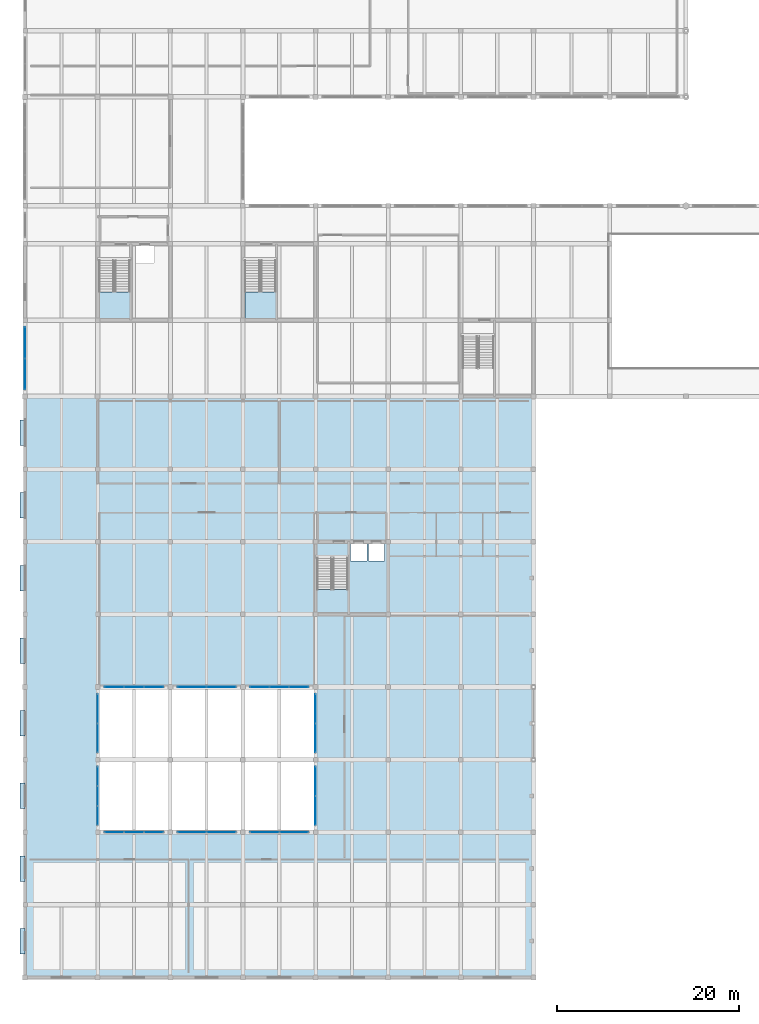
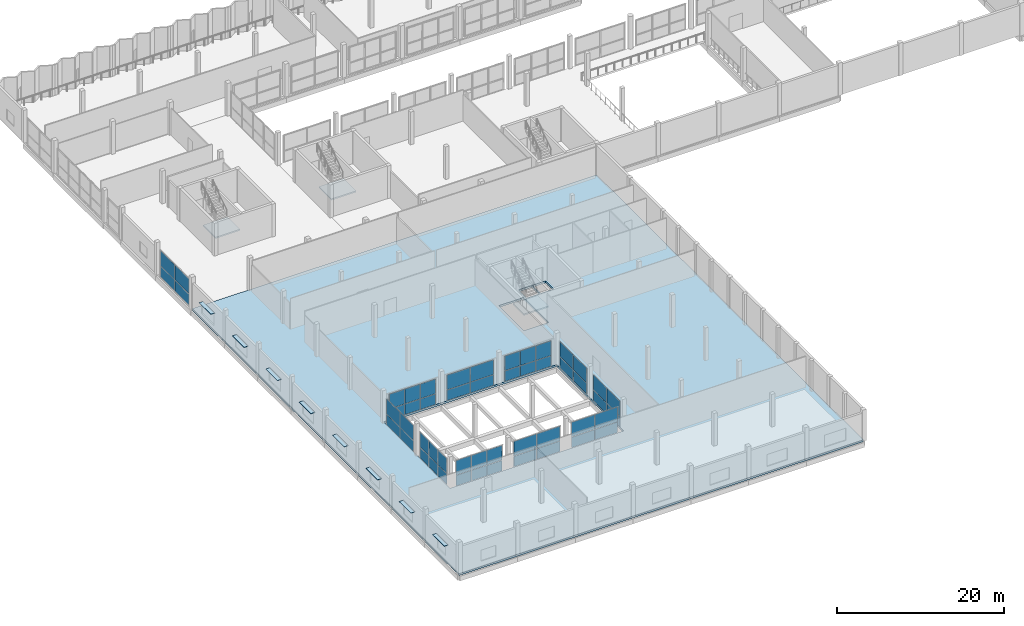
# One storey, part 26 of 47: 60 plates, 4 slabs, 14 elements without a shape of their own.
"""IFC4 building model written with IfcOpenShell, lengths in metres."""

from ifc_helpers import new_model, si_unit, direction, frame, origin, origin_2d, place, context, subcontext, project, spatial, polyline, rectangle, outline, extrude, material, layer, layer_set, type_object, element, aggregate, save


model = new_model("IFC4")

# Units and contexts
model_context = context("Model", 3, precision=1e-05, world=origin(), true_north=direction((0.0, 1.0)))
body_context = subcontext(model_context, "Body", "Model", "MODEL_VIEW")
ifc_project = project(units=[si_unit("LENGTHUNIT", "METRE"), si_unit("AREAUNIT", "SQUARE_METRE"), si_unit("VOLUMEUNIT", "CUBIC_METRE"), si_unit("PLANEANGLEUNIT", "RADIAN"), si_unit("MASSUNIT", "GRAM", prefix="KILO")], contexts=[model_context])

# Site, building, storey
site_placement = place(None, origin())
site = spatial("IfcSite", under=ifc_project, at=site_placement, CompositionType="ELEMENT")
building_placement = place(site_placement, origin())
building = spatial("IfcBuilding", under=site, at=building_placement, Name="Vharandega Faculty of Natural Sciences", CompositionType="ELEMENT")
storey_placement = place(building_placement, frame((0.0, 0.0, 5.39990234375)))
storey = spatial("IfcBuildingStorey", under=building, at=storey_placement, Name="L01", CompositionType="ELEMENT", Elevation=5.39990234375)

# Curtain wall, plates
ifc_material_1 = material(Name="Aluminium and solar-control glass curtain wall", Category="aluminium")
curtain_wall_type_1 = type_object("IfcCurtainWallType", Name="Unitised Curtain Wall System CW-14", PredefinedType="NOTDEFINED", material=ifc_material_1)
curtain_wall_1_placement = place(storey_placement, origin())
curtain_wall_1 = element("IfcCurtainWall", 1, at=curtain_wall_1_placement, inside=storey, type_object=curtain_wall_type_1, Name="Curtain Wall CW-L01-041", PredefinedType="NOTDEFINED")
ifc_material_2 = material(Name="Double-glazed low-E solar glass", Category="glass")
ifc_layer_1 = layer(ifc_material_2, 0.028076171875, Name="Double-glazed low-E solar glass")
ifc_layer_set_1 = layer_set([ifc_layer_1], Name="Double-glazed low-E solar glass")
plate_type_1 = type_object("IfcPlateType", Name="CW Solar Vision Panel 28mm", PredefinedType="CURTAIN_PANEL", material=ifc_layer_set_1)
plate_1_placement = place(storey_placement, frame((0.0, 66.485107421875, 0.06005859375), z_axis=(0.0, 0.0, 1.0), x_axis=(0.0, 1.0, 0.0)))
plate_1 = element("IfcPlate", 2, at=plate_1_placement, type_object=plate_type_1, Name="CW-14 panel 1.1", PredefinedType="CURTAIN_PANEL", context=body_context, shape_type="SweptSolid", body=[
    extrude(rectangle(XDim=3.3701171875, YDim=0.028076171875, at=origin_2d()), origin(), (0.0, 0.0, 1.0), 1.564697265625),
])
plate_2_placement = place(storey_placement, frame((0.0, 66.485107421875, 1.684814453125), z_axis=(0.0, 0.0, 1.0), x_axis=(0.0, 1.0, 0.0)))
plate_2 = element("IfcPlate", 3, at=plate_2_placement, type_object=plate_type_1, Name="CW-14 panel 1.2", PredefinedType="CURTAIN_PANEL", context=body_context, shape_type="SweptSolid", body=[
    extrude(rectangle(XDim=3.3701171875, YDim=0.028076171875, at=origin_2d()), origin(), (0.0, 0.0, 1.0), 2.1953125),
])
plate_3_placement = place(storey_placement, frame((0.0, 69.9150390625, 0.06005859375), z_axis=(0.0, 0.0, 1.0), x_axis=(0.0, 1.0, 0.0)))
plate_3 = element("IfcPlate", 4, at=plate_3_placement, type_object=plate_type_1, Name="CW-14 panel 2.1", PredefinedType="CURTAIN_PANEL", context=body_context, shape_type="SweptSolid", body=[
    extrude(rectangle(XDim=3.3701171875, YDim=0.028076171875, at=origin_2d()), origin(), (0.0, 0.0, 1.0), 1.564697265625),
])
plate_4_placement = place(storey_placement, frame((0.0, 69.9150390625, 1.684814453125), z_axis=(0.0, 0.0, 1.0), x_axis=(0.0, 1.0, 0.0)))
plate_4 = element("IfcPlate", 5, at=plate_4_placement, type_object=plate_type_1, Name="CW-14 panel 2.2", PredefinedType="CURTAIN_PANEL", context=body_context, shape_type="SweptSolid", body=[
    extrude(rectangle(XDim=3.3701171875, YDim=0.028076171875, at=origin_2d()), origin(), (0.0, 0.0, 1.0), 2.1953125),
])
aggregate(curtain_wall_1, [plate_1, plate_2, plate_3, plate_4])

ifc_material_3 = material(Name="Aluminium and solar-control glass curtain wall", Category="aluminium")
curtain_wall_type_2 = type_object("IfcCurtainWallType", Name="Unitised Curtain Wall System CW-10", PredefinedType="NOTDEFINED", material=ifc_material_3)
curtain_wall_2_placement = place(storey_placement, origin())
curtain_wall_2 = element("IfcCurtainWall", 6, at=curtain_wall_2_placement, inside=storey, type_object=curtain_wall_type_2, Name="Curtain Wall CW-L01-121", PredefinedType="NOTDEFINED")
plate_5_placement = place(storey_placement, frame((9.841552734375, 16.0, 0.06005859375), z_axis=(0.0, 0.0, 1.0), x_axis=(1.0, 0.0, 0.0)))
plate_5 = element("IfcPlate", 7, at=plate_5_placement, type_object=plate_type_1, Name="CW-10 panel 1.1", PredefinedType="CURTAIN_PANEL", context=body_context, shape_type="SweptSolid", body=[
    extrude(rectangle(XDim=2.083251953125, YDim=0.028076171875, at=origin_2d()), origin(), (0.0, 0.0, 1.0), 1.522705078125),
])
plate_6_placement = place(storey_placement, frame((9.841552734375, 16.0, 1.642822265625), z_axis=(0.0, 0.0, 1.0), x_axis=(1.0, 0.0, 0.0)))
plate_6 = element("IfcPlate", 8, at=plate_6_placement, type_object=plate_type_1, Name="CW-10 panel 1.2", PredefinedType="CURTAIN_PANEL", context=body_context, shape_type="SweptSolid", body=[
    extrude(rectangle(XDim=2.083251953125, YDim=0.028076171875, at=origin_2d()), origin(), (0.0, 0.0, 1.0), 2.13720703125),
])
plate_7_placement = place(storey_placement, frame((12.0, 16.0, 0.06005859375), z_axis=(0.0, 0.0, 1.0), x_axis=(1.0, 0.0, 0.0)))
plate_7 = element("IfcPlate", 9, at=plate_7_placement, type_object=plate_type_1, Name="CW-10 panel 2.1", PredefinedType="CURTAIN_PANEL", context=body_context, shape_type="SweptSolid", body=[
    extrude(rectangle(XDim=2.11328125, YDim=0.028076171875, at=origin_2d()), origin(), (0.0, 0.0, 1.0), 1.522705078125),
])
plate_8_placement = place(storey_placement, frame((12.0, 16.0, 1.642822265625), z_axis=(0.0, 0.0, 1.0), x_axis=(1.0, 0.0, 0.0)))
plate_8 = element("IfcPlate", 10, at=plate_8_placement, type_object=plate_type_1, Name="CW-10 panel 2.2", PredefinedType="CURTAIN_PANEL", context=body_context, shape_type="SweptSolid", body=[
    extrude(rectangle(XDim=2.11328125, YDim=0.028076171875, at=origin_2d()), origin(), (0.0, 0.0, 1.0), 2.13720703125),
])
plate_9_placement = place(storey_placement, frame((14.158447265625, 16.0, 0.06005859375), z_axis=(0.0, 0.0, 1.0), x_axis=(1.0, 0.0, 0.0)))
plate_9 = element("IfcPlate", 11, at=plate_9_placement, type_object=plate_type_1, Name="CW-10 panel 3.1", PredefinedType="CURTAIN_PANEL", context=body_context, shape_type="SweptSolid", body=[
    extrude(rectangle(XDim=2.083251953125, YDim=0.028076171875, at=origin_2d()), origin(), (0.0, 0.0, 1.0), 1.522705078125),
])
plate_10_placement = place(storey_placement, frame((14.158447265625, 16.0, 1.642822265625), z_axis=(0.0, 0.0, 1.0), x_axis=(1.0, 0.0, 0.0)))
plate_10 = element("IfcPlate", 12, at=plate_10_placement, type_object=plate_type_1, Name="CW-10 panel 3.2", PredefinedType="CURTAIN_PANEL", context=body_context, shape_type="SweptSolid", body=[
    extrude(rectangle(XDim=2.083251953125, YDim=0.028076171875, at=origin_2d()), origin(), (0.0, 0.0, 1.0), 2.13720703125),
])
aggregate(curtain_wall_2, [plate_5, plate_6, plate_7, plate_8, plate_9, plate_10])

ifc_material_4 = material(Name="Aluminium and solar-control glass curtain wall", Category="aluminium")
curtain_wall_type_3 = type_object("IfcCurtainWallType", Name="Unitised Curtain Wall System CW-11", PredefinedType="NOTDEFINED", material=ifc_material_4)
curtain_wall_3_placement = place(storey_placement, origin())
curtain_wall_3 = element("IfcCurtainWall", 13, at=curtain_wall_3_placement, inside=storey, type_object=curtain_wall_type_3, Name="Curtain Wall CW-L01-122", PredefinedType="NOTDEFINED")
plate_11_placement = place(storey_placement, frame((9.841552734375, 32.0, 0.06005859375), z_axis=(0.0, 0.0, 1.0), x_axis=(1.0, 0.0, 0.0)))
plate_11 = element("IfcPlate", 14, at=plate_11_placement, type_object=plate_type_1, Name="CW-11 panel 1.1", PredefinedType="CURTAIN_PANEL", context=body_context, shape_type="SweptSolid", body=[
    extrude(rectangle(XDim=2.083251953125, YDim=0.028076171875, at=origin_2d()), origin(), (0.0, 0.0, 1.0), 1.522705078125),
])
plate_12_placement = place(storey_placement, frame((9.841552734375, 32.0, 1.642822265625), z_axis=(0.0, 0.0, 1.0), x_axis=(1.0, 0.0, 0.0)))
plate_12 = element("IfcPlate", 15, at=plate_12_placement, type_object=plate_type_1, Name="CW-11 panel 1.2", PredefinedType="CURTAIN_PANEL", context=body_context, shape_type="SweptSolid", body=[
    extrude(rectangle(XDim=2.083251953125, YDim=0.028076171875, at=origin_2d()), origin(), (0.0, 0.0, 1.0), 2.13720703125),
])
plate_13_placement = place(storey_placement, frame((12.0, 32.0, 0.06005859375), z_axis=(0.0, 0.0, 1.0), x_axis=(1.0, 0.0, 0.0)))
plate_13 = element("IfcPlate", 16, at=plate_13_placement, type_object=plate_type_1, Name="CW-11 panel 2.1", PredefinedType="CURTAIN_PANEL", context=body_context, shape_type="SweptSolid", body=[
    extrude(rectangle(XDim=2.11328125, YDim=0.028076171875, at=origin_2d()), origin(), (0.0, 0.0, 1.0), 1.522705078125),
])
plate_14_placement = place(storey_placement, frame((12.0, 32.0, 1.642822265625), z_axis=(0.0, 0.0, 1.0), x_axis=(1.0, 0.0, 0.0)))
plate_14 = element("IfcPlate", 17, at=plate_14_placement, type_object=plate_type_1, Name="CW-11 panel 2.2", PredefinedType="CURTAIN_PANEL", context=body_context, shape_type="SweptSolid", body=[
    extrude(rectangle(XDim=2.11328125, YDim=0.028076171875, at=origin_2d()), origin(), (0.0, 0.0, 1.0), 2.13720703125),
])
plate_15_placement = place(storey_placement, frame((14.158447265625, 32.0, 0.06005859375), z_axis=(0.0, 0.0, 1.0), x_axis=(1.0, 0.0, 0.0)))
plate_15 = element("IfcPlate", 18, at=plate_15_placement, type_object=plate_type_1, Name="CW-11 panel 3.1", PredefinedType="CURTAIN_PANEL", context=body_context, shape_type="SweptSolid", body=[
    extrude(rectangle(XDim=2.083251953125, YDim=0.028076171875, at=origin_2d()), origin(), (0.0, 0.0, 1.0), 1.522705078125),
])
plate_16_placement = place(storey_placement, frame((14.158447265625, 32.0, 1.642822265625), z_axis=(0.0, 0.0, 1.0), x_axis=(1.0, 0.0, 0.0)))
plate_16 = element("IfcPlate", 19, at=plate_16_placement, type_object=plate_type_1, Name="CW-11 panel 3.2", PredefinedType="CURTAIN_PANEL", context=body_context, shape_type="SweptSolid", body=[
    extrude(rectangle(XDim=2.083251953125, YDim=0.028076171875, at=origin_2d()), origin(), (0.0, 0.0, 1.0), 2.13720703125),
])
aggregate(curtain_wall_3, [plate_11, plate_12, plate_13, plate_14, plate_15, plate_16])

ifc_material_5 = material(Name="Aluminium and solar-control glass curtain wall", Category="aluminium")
curtain_wall_type_4 = type_object("IfcCurtainWallType", Name="Unitised Curtain Wall System CW-12", PredefinedType="NOTDEFINED", material=ifc_material_5)
curtain_wall_4_placement = place(storey_placement, origin())
curtain_wall_4 = element("IfcCurtainWall", 20, at=curtain_wall_4_placement, inside=storey, type_object=curtain_wall_type_4, Name="Curtain Wall CW-L01-123", PredefinedType="NOTDEFINED")
plate_17_placement = place(storey_placement, frame((18.385009765625, 16.0, 0.06005859375), z_axis=(0.0, 0.0, 1.0), x_axis=(1.0, 0.0, 0.0)))
plate_17 = element("IfcPlate", 21, at=plate_17_placement, type_object=plate_type_1, Name="CW-12 panel 1.1", PredefinedType="CURTAIN_PANEL", context=body_context, shape_type="SweptSolid", body=[
    extrude(rectangle(XDim=3.169921875, YDim=0.028076171875, at=origin_2d()), origin(), (0.0, 0.0, 1.0), 1.522705078125),
])
plate_18_placement = place(storey_placement, frame((18.385009765625, 16.0, 1.642822265625), z_axis=(0.0, 0.0, 1.0), x_axis=(1.0, 0.0, 0.0)))
plate_18 = element("IfcPlate", 22, at=plate_18_placement, type_object=plate_type_1, Name="CW-12 panel 1.2", PredefinedType="CURTAIN_PANEL", context=body_context, shape_type="SweptSolid", body=[
    extrude(rectangle(XDim=3.169921875, YDim=0.028076171875, at=origin_2d()), origin(), (0.0, 0.0, 1.0), 2.13720703125),
])
plate_19_placement = place(storey_placement, frame((21.614990234375, 16.0, 0.06005859375), z_axis=(0.0, 0.0, 1.0), x_axis=(1.0, 0.0, 0.0)))
plate_19 = element("IfcPlate", 23, at=plate_19_placement, type_object=plate_type_1, Name="CW-12 panel 2.1", PredefinedType="CURTAIN_PANEL", context=body_context, shape_type="SweptSolid", body=[
    extrude(rectangle(XDim=3.169921875, YDim=0.028076171875, at=origin_2d()), origin(), (0.0, 0.0, 1.0), 1.522705078125),
])
plate_20_placement = place(storey_placement, frame((21.614990234375, 16.0, 1.642822265625), z_axis=(0.0, 0.0, 1.0), x_axis=(1.0, 0.0, 0.0)))
plate_20 = element("IfcPlate", 24, at=plate_20_placement, type_object=plate_type_1, Name="CW-12 panel 2.2", PredefinedType="CURTAIN_PANEL", context=body_context, shape_type="SweptSolid", body=[
    extrude(rectangle(XDim=3.169921875, YDim=0.028076171875, at=origin_2d()), origin(), (0.0, 0.0, 1.0), 2.13720703125),
])
aggregate(curtain_wall_4, [plate_17, plate_18, plate_19, plate_20])

ifc_material_6 = material(Name="Aluminium and solar-control glass curtain wall", Category="aluminium")
curtain_wall_type_5 = type_object("IfcCurtainWallType", Name="Unitised Curtain Wall System CW-13", PredefinedType="NOTDEFINED", material=ifc_material_6)
curtain_wall_5_placement = place(storey_placement, origin())
curtain_wall_5 = element("IfcCurtainWall", 25, at=curtain_wall_5_placement, inside=storey, type_object=curtain_wall_type_5, Name="Curtain Wall CW-L01-124", PredefinedType="NOTDEFINED")
plate_21_placement = place(storey_placement, frame((18.385009765625, 32.0, 0.06005859375), z_axis=(0.0, 0.0, 1.0), x_axis=(1.0, 0.0, 0.0)))
plate_21 = element("IfcPlate", 26, at=plate_21_placement, type_object=plate_type_1, Name="CW-13 panel 1.1", PredefinedType="CURTAIN_PANEL", context=body_context, shape_type="SweptSolid", body=[
    extrude(rectangle(XDim=3.169921875, YDim=0.028076171875, at=origin_2d()), origin(), (0.0, 0.0, 1.0), 1.522705078125),
])
plate_22_placement = place(storey_placement, frame((18.385009765625, 32.0, 1.642822265625), z_axis=(0.0, 0.0, 1.0), x_axis=(1.0, 0.0, 0.0)))
plate_22 = element("IfcPlate", 27, at=plate_22_placement, type_object=plate_type_1, Name="CW-13 panel 1.2", PredefinedType="CURTAIN_PANEL", context=body_context, shape_type="SweptSolid", body=[
    extrude(rectangle(XDim=3.169921875, YDim=0.028076171875, at=origin_2d()), origin(), (0.0, 0.0, 1.0), 2.13720703125),
])
plate_23_placement = place(storey_placement, frame((21.614990234375, 32.0, 0.06005859375), z_axis=(0.0, 0.0, 1.0), x_axis=(1.0, 0.0, 0.0)))
plate_23 = element("IfcPlate", 28, at=plate_23_placement, type_object=plate_type_1, Name="CW-13 panel 2.1", PredefinedType="CURTAIN_PANEL", context=body_context, shape_type="SweptSolid", body=[
    extrude(rectangle(XDim=3.169921875, YDim=0.028076171875, at=origin_2d()), origin(), (0.0, 0.0, 1.0), 1.522705078125),
])
plate_24_placement = place(storey_placement, frame((21.614990234375, 32.0, 1.642822265625), z_axis=(0.0, 0.0, 1.0), x_axis=(1.0, 0.0, 0.0)))
plate_24 = element("IfcPlate", 29, at=plate_24_placement, type_object=plate_type_1, Name="CW-13 panel 2.2", PredefinedType="CURTAIN_PANEL", context=body_context, shape_type="SweptSolid", body=[
    extrude(rectangle(XDim=3.169921875, YDim=0.028076171875, at=origin_2d()), origin(), (0.0, 0.0, 1.0), 2.13720703125),
])
aggregate(curtain_wall_5, [plate_21, plate_22, plate_23, plate_24])

curtain_wall_6_placement = place(storey_placement, origin())
curtain_wall_6 = element("IfcCurtainWall", 30, at=curtain_wall_6_placement, inside=storey, type_object=curtain_wall_type_1, Name="Curtain Wall CW-L01-125", PredefinedType="NOTDEFINED")
plate_25_placement = place(storey_placement, frame((26.385009765625, 16.0, 0.06005859375), z_axis=(0.0, 0.0, 1.0), x_axis=(1.0, 0.0, 0.0)))
plate_25 = element("IfcPlate", 31, at=plate_25_placement, type_object=plate_type_1, Name="CW-14 panel 1.1", PredefinedType="CURTAIN_PANEL", context=body_context, shape_type="SweptSolid", body=[
    extrude(rectangle(XDim=3.169921875, YDim=0.028076171875, at=origin_2d()), origin(), (0.0, 0.0, 1.0), 1.522705078125),
])
plate_26_placement = place(storey_placement, frame((26.385009765625, 16.0, 1.642822265625), z_axis=(0.0, 0.0, 1.0), x_axis=(1.0, 0.0, 0.0)))
plate_26 = element("IfcPlate", 32, at=plate_26_placement, type_object=plate_type_1, Name="CW-14 panel 1.2", PredefinedType="CURTAIN_PANEL", context=body_context, shape_type="SweptSolid", body=[
    extrude(rectangle(XDim=3.169921875, YDim=0.028076171875, at=origin_2d()), origin(), (0.0, 0.0, 1.0), 2.13720703125),
])
plate_27_placement = place(storey_placement, frame((29.614990234375, 16.0, 0.06005859375), z_axis=(0.0, 0.0, 1.0), x_axis=(1.0, 0.0, 0.0)))
plate_27 = element("IfcPlate", 33, at=plate_27_placement, type_object=plate_type_1, Name="CW-14 panel 2.1", PredefinedType="CURTAIN_PANEL", context=body_context, shape_type="SweptSolid", body=[
    extrude(rectangle(XDim=3.169921875, YDim=0.028076171875, at=origin_2d()), origin(), (0.0, 0.0, 1.0), 1.522705078125),
])
plate_28_placement = place(storey_placement, frame((29.614990234375, 16.0, 1.642822265625), z_axis=(0.0, 0.0, 1.0), x_axis=(1.0, 0.0, 0.0)))
plate_28 = element("IfcPlate", 34, at=plate_28_placement, type_object=plate_type_1, Name="CW-14 panel 2.2", PredefinedType="CURTAIN_PANEL", context=body_context, shape_type="SweptSolid", body=[
    extrude(rectangle(XDim=3.169921875, YDim=0.028076171875, at=origin_2d()), origin(), (0.0, 0.0, 1.0), 2.13720703125),
])
aggregate(curtain_wall_6, [plate_25, plate_26, plate_27, plate_28])

ifc_material_7 = material(Name="Aluminium and solar-control glass curtain wall", Category="aluminium")
curtain_wall_type_6 = type_object("IfcCurtainWallType", Name="Unitised Curtain Wall System CW-15", PredefinedType="NOTDEFINED", material=ifc_material_7)
curtain_wall_7_placement = place(storey_placement, origin())
curtain_wall_7 = element("IfcCurtainWall", 35, at=curtain_wall_7_placement, inside=storey, type_object=curtain_wall_type_6, Name="Curtain Wall CW-L01-126", PredefinedType="NOTDEFINED")
plate_29_placement = place(storey_placement, frame((25.841552734375, 32.0, 0.06005859375), z_axis=(0.0, 0.0, 1.0), x_axis=(1.0, 0.0, 0.0)))
plate_29 = element("IfcPlate", 36, at=plate_29_placement, type_object=plate_type_1, Name="CW-15 panel 1.1", PredefinedType="CURTAIN_PANEL", context=body_context, shape_type="SweptSolid", body=[
    extrude(rectangle(XDim=2.083251953125, YDim=0.028076171875, at=origin_2d()), origin(), (0.0, 0.0, 1.0), 1.522705078125),
])
plate_30_placement = place(storey_placement, frame((25.841552734375, 32.0, 1.642822265625), z_axis=(0.0, 0.0, 1.0), x_axis=(1.0, 0.0, 0.0)))
plate_30 = element("IfcPlate", 37, at=plate_30_placement, type_object=plate_type_1, Name="CW-15 panel 1.2", PredefinedType="CURTAIN_PANEL", context=body_context, shape_type="SweptSolid", body=[
    extrude(rectangle(XDim=2.083251953125, YDim=0.028076171875, at=origin_2d()), origin(), (0.0, 0.0, 1.0), 2.13720703125),
])
plate_31_placement = place(storey_placement, frame((28.0, 32.0, 0.06005859375), z_axis=(0.0, 0.0, 1.0), x_axis=(1.0, 0.0, 0.0)))
plate_31 = element("IfcPlate", 38, at=plate_31_placement, type_object=plate_type_1, Name="CW-15 panel 2.1", PredefinedType="CURTAIN_PANEL", context=body_context, shape_type="SweptSolid", body=[
    extrude(rectangle(XDim=2.11328125, YDim=0.028076171875, at=origin_2d()), origin(), (0.0, 0.0, 1.0), 1.522705078125),
])
plate_32_placement = place(storey_placement, frame((28.0, 32.0, 1.642822265625), z_axis=(0.0, 0.0, 1.0), x_axis=(1.0, 0.0, 0.0)))
plate_32 = element("IfcPlate", 39, at=plate_32_placement, type_object=plate_type_1, Name="CW-15 panel 2.2", PredefinedType="CURTAIN_PANEL", context=body_context, shape_type="SweptSolid", body=[
    extrude(rectangle(XDim=2.11328125, YDim=0.028076171875, at=origin_2d()), origin(), (0.0, 0.0, 1.0), 2.13720703125),
])
plate_33_placement = place(storey_placement, frame((30.158447265625, 32.0, 0.06005859375), z_axis=(0.0, 0.0, 1.0), x_axis=(1.0, 0.0, 0.0)))
plate_33 = element("IfcPlate", 40, at=plate_33_placement, type_object=plate_type_1, Name="CW-15 panel 3.1", PredefinedType="CURTAIN_PANEL", context=body_context, shape_type="SweptSolid", body=[
    extrude(rectangle(XDim=2.083251953125, YDim=0.028076171875, at=origin_2d()), origin(), (0.0, 0.0, 1.0), 1.522705078125),
])
plate_34_placement = place(storey_placement, frame((30.158447265625, 32.0, 1.642822265625), z_axis=(0.0, 0.0, 1.0), x_axis=(1.0, 0.0, 0.0)))
plate_34 = element("IfcPlate", 41, at=plate_34_placement, type_object=plate_type_1, Name="CW-15 panel 3.2", PredefinedType="CURTAIN_PANEL", context=body_context, shape_type="SweptSolid", body=[
    extrude(rectangle(XDim=2.083251953125, YDim=0.028076171875, at=origin_2d()), origin(), (0.0, 0.0, 1.0), 2.13720703125),
])
aggregate(curtain_wall_7, [plate_29, plate_30, plate_31, plate_32, plate_33, plate_34])

ifc_material_8 = material(Name="Aluminium and solar-control glass curtain wall", Category="aluminium")
curtain_wall_type_7 = type_object("IfcCurtainWallType", Name="Unitised Curtain Wall System CW-16", PredefinedType="NOTDEFINED", material=ifc_material_8)
curtain_wall_8_placement = place(storey_placement, origin())
curtain_wall_8 = element("IfcCurtainWall", 42, at=curtain_wall_8_placement, inside=storey, type_object=curtain_wall_type_7, Name="Curtain Wall CW-L01-127", PredefinedType="NOTDEFINED")
plate_35_placement = place(storey_placement, frame((8.0, 17.841552734375, 0.06005859375), z_axis=(0.0, 0.0, 1.0), x_axis=(0.0, 1.0, 0.0)))
plate_35 = element("IfcPlate", 43, at=plate_35_placement, type_object=plate_type_1, Name="CW-16 panel 1.1", PredefinedType="CURTAIN_PANEL", context=body_context, shape_type="SweptSolid", body=[
    extrude(rectangle(XDim=2.083251953125, YDim=0.028076171875, at=origin_2d()), origin(), (0.0, 0.0, 1.0), 1.556396484375),
])
plate_36_placement = place(storey_placement, frame((8.0, 17.841552734375, 1.676513671875), z_axis=(0.0, 0.0, 1.0), x_axis=(0.0, 1.0, 0.0)))
plate_36 = element("IfcPlate", 44, at=plate_36_placement, type_object=plate_type_1, Name="CW-16 panel 1.2", PredefinedType="CURTAIN_PANEL", context=body_context, shape_type="SweptSolid", body=[
    extrude(rectangle(XDim=2.083251953125, YDim=0.028076171875, at=origin_2d()), origin(), (0.0, 0.0, 1.0), 2.18359375),
])
plate_37_placement = place(storey_placement, frame((8.0, 20.0, 0.06005859375), z_axis=(0.0, 0.0, 1.0), x_axis=(0.0, 1.0, 0.0)))
plate_37 = element("IfcPlate", 45, at=plate_37_placement, type_object=plate_type_1, Name="CW-16 panel 2.1", PredefinedType="CURTAIN_PANEL", context=body_context, shape_type="SweptSolid", body=[
    extrude(rectangle(XDim=2.11328125, YDim=0.028076171875, at=origin_2d()), origin(), (0.0, 0.0, 1.0), 1.556396484375),
])
plate_38_placement = place(storey_placement, frame((8.0, 20.0, 1.676513671875), z_axis=(0.0, 0.0, 1.0), x_axis=(0.0, 1.0, 0.0)))
plate_38 = element("IfcPlate", 46, at=plate_38_placement, type_object=plate_type_1, Name="CW-16 panel 2.2", PredefinedType="CURTAIN_PANEL", context=body_context, shape_type="SweptSolid", body=[
    extrude(rectangle(XDim=2.11328125, YDim=0.028076171875, at=origin_2d()), origin(), (0.0, 0.0, 1.0), 2.18359375),
])
plate_39_placement = place(storey_placement, frame((8.0, 22.158447265625, 0.06005859375), z_axis=(0.0, 0.0, 1.0), x_axis=(0.0, 1.0, 0.0)))
plate_39 = element("IfcPlate", 47, at=plate_39_placement, type_object=plate_type_1, Name="CW-16 panel 3.1", PredefinedType="CURTAIN_PANEL", context=body_context, shape_type="SweptSolid", body=[
    extrude(rectangle(XDim=2.083251953125, YDim=0.028076171875, at=origin_2d()), origin(), (0.0, 0.0, 1.0), 1.556396484375),
])
plate_40_placement = place(storey_placement, frame((8.0, 22.158447265625, 1.676513671875), z_axis=(0.0, 0.0, 1.0), x_axis=(0.0, 1.0, 0.0)))
plate_40 = element("IfcPlate", 48, at=plate_40_placement, type_object=plate_type_1, Name="CW-16 panel 3.2", PredefinedType="CURTAIN_PANEL", context=body_context, shape_type="SweptSolid", body=[
    extrude(rectangle(XDim=2.083251953125, YDim=0.028076171875, at=origin_2d()), origin(), (0.0, 0.0, 1.0), 2.18359375),
])
aggregate(curtain_wall_8, [plate_35, plate_36, plate_37, plate_38, plate_39, plate_40])

ifc_material_9 = material(Name="Aluminium and solar-control glass curtain wall", Category="aluminium")
curtain_wall_type_8 = type_object("IfcCurtainWallType", Name="Unitised Curtain Wall System CW-17", PredefinedType="NOTDEFINED", material=ifc_material_9)
curtain_wall_9_placement = place(storey_placement, origin())
curtain_wall_9 = element("IfcCurtainWall", 49, at=curtain_wall_9_placement, inside=storey, type_object=curtain_wall_type_8, Name="Curtain Wall CW-L01-128", PredefinedType="NOTDEFINED")
plate_41_placement = place(storey_placement, frame((32.0, 18.385009765625, 0.06005859375), z_axis=(0.0, 0.0, 1.0), x_axis=(0.0, 1.0, 0.0)))
plate_41 = element("IfcPlate", 50, at=plate_41_placement, type_object=plate_type_1, Name="CW-17 panel 1.1", PredefinedType="CURTAIN_PANEL", context=body_context, shape_type="SweptSolid", body=[
    extrude(rectangle(XDim=3.169921875, YDim=0.028076171875, at=origin_2d()), origin(), (0.0, 0.0, 1.0), 1.556396484375),
])
plate_42_placement = place(storey_placement, frame((32.0, 18.385009765625, 1.676513671875), z_axis=(0.0, 0.0, 1.0), x_axis=(0.0, 1.0, 0.0)))
plate_42 = element("IfcPlate", 51, at=plate_42_placement, type_object=plate_type_1, Name="CW-17 panel 1.2", PredefinedType="CURTAIN_PANEL", context=body_context, shape_type="SweptSolid", body=[
    extrude(rectangle(XDim=3.169921875, YDim=0.028076171875, at=origin_2d()), origin(), (0.0, 0.0, 1.0), 2.18359375),
])
plate_43_placement = place(storey_placement, frame((32.0, 21.614990234375, 0.06005859375), z_axis=(0.0, 0.0, 1.0), x_axis=(0.0, 1.0, 0.0)))
plate_43 = element("IfcPlate", 52, at=plate_43_placement, type_object=plate_type_1, Name="CW-17 panel 2.1", PredefinedType="CURTAIN_PANEL", context=body_context, shape_type="SweptSolid", body=[
    extrude(rectangle(XDim=3.169921875, YDim=0.028076171875, at=origin_2d()), origin(), (0.0, 0.0, 1.0), 1.556396484375),
])
plate_44_placement = place(storey_placement, frame((32.0, 21.614990234375, 1.676513671875), z_axis=(0.0, 0.0, 1.0), x_axis=(0.0, 1.0, 0.0)))
plate_44 = element("IfcPlate", 53, at=plate_44_placement, type_object=plate_type_1, Name="CW-17 panel 2.2", PredefinedType="CURTAIN_PANEL", context=body_context, shape_type="SweptSolid", body=[
    extrude(rectangle(XDim=3.169921875, YDim=0.028076171875, at=origin_2d()), origin(), (0.0, 0.0, 1.0), 2.18359375),
])
aggregate(curtain_wall_9, [plate_41, plate_42, plate_43, plate_44])

ifc_material_10 = material(Name="Aluminium and solar-control glass curtain wall", Category="aluminium")
curtain_wall_type_9 = type_object("IfcCurtainWallType", Name="Unitised Curtain Wall System CW-18", PredefinedType="NOTDEFINED", material=ifc_material_10)
curtain_wall_10_placement = place(storey_placement, origin())
curtain_wall_10 = element("IfcCurtainWall", 54, at=curtain_wall_10_placement, inside=storey, type_object=curtain_wall_type_9, Name="Curtain Wall CW-L01-129", PredefinedType="NOTDEFINED")
plate_45_placement = place(storey_placement, frame((8.0, 26.385009765625, 0.06005859375), z_axis=(0.0, 0.0, 1.0), x_axis=(0.0, 1.0, 0.0)))
plate_45 = element("IfcPlate", 55, at=plate_45_placement, type_object=plate_type_1, Name="CW-18 panel 1.1", PredefinedType="CURTAIN_PANEL", context=body_context, shape_type="SweptSolid", body=[
    extrude(rectangle(XDim=3.169921875, YDim=0.028076171875, at=origin_2d()), origin(), (0.0, 0.0, 1.0), 1.556396484375),
])
plate_46_placement = place(storey_placement, frame((8.0, 26.385009765625, 1.676513671875), z_axis=(0.0, 0.0, 1.0), x_axis=(0.0, 1.0, 0.0)))
plate_46 = element("IfcPlate", 56, at=plate_46_placement, type_object=plate_type_1, Name="CW-18 panel 1.2", PredefinedType="CURTAIN_PANEL", context=body_context, shape_type="SweptSolid", body=[
    extrude(rectangle(XDim=3.169921875, YDim=0.028076171875, at=origin_2d()), origin(), (0.0, 0.0, 1.0), 2.18359375),
])
plate_47_placement = place(storey_placement, frame((8.0, 29.614990234375, 0.06005859375), z_axis=(0.0, 0.0, 1.0), x_axis=(0.0, 1.0, 0.0)))
plate_47 = element("IfcPlate", 57, at=plate_47_placement, type_object=plate_type_1, Name="CW-18 panel 2.1", PredefinedType="CURTAIN_PANEL", context=body_context, shape_type="SweptSolid", body=[
    extrude(rectangle(XDim=3.169921875, YDim=0.028076171875, at=origin_2d()), origin(), (0.0, 0.0, 1.0), 1.556396484375),
])
plate_48_placement = place(storey_placement, frame((8.0, 29.614990234375, 1.676513671875), z_axis=(0.0, 0.0, 1.0), x_axis=(0.0, 1.0, 0.0)))
plate_48 = element("IfcPlate", 58, at=plate_48_placement, type_object=plate_type_1, Name="CW-18 panel 2.2", PredefinedType="CURTAIN_PANEL", context=body_context, shape_type="SweptSolid", body=[
    extrude(rectangle(XDim=3.169921875, YDim=0.028076171875, at=origin_2d()), origin(), (0.0, 0.0, 1.0), 2.18359375),
])
aggregate(curtain_wall_10, [plate_45, plate_46, plate_47, plate_48])

ifc_material_11 = material(Name="Aluminium and solar-control glass curtain wall", Category="aluminium")
curtain_wall_type_10 = type_object("IfcCurtainWallType", Name="Unitised Curtain Wall System CW-19", PredefinedType="NOTDEFINED", material=ifc_material_11)
curtain_wall_11_placement = place(storey_placement, origin())
curtain_wall_11 = element("IfcCurtainWall", 59, at=curtain_wall_11_placement, inside=storey, type_object=curtain_wall_type_10, Name="Curtain Wall CW-L01-130", PredefinedType="NOTDEFINED")
plate_49_placement = place(storey_placement, frame((32.0, 26.385009765625, 0.06005859375), z_axis=(0.0, 0.0, 1.0), x_axis=(0.0, 1.0, 0.0)))
plate_49 = element("IfcPlate", 60, at=plate_49_placement, type_object=plate_type_1, Name="CW-19 panel 1.1", PredefinedType="CURTAIN_PANEL", context=body_context, shape_type="SweptSolid", body=[
    extrude(rectangle(XDim=3.169921875, YDim=0.028076171875, at=origin_2d()), origin(), (0.0, 0.0, 1.0), 1.556396484375),
])
plate_50_placement = place(storey_placement, frame((32.0, 26.385009765625, 1.676513671875), z_axis=(0.0, 0.0, 1.0), x_axis=(0.0, 1.0, 0.0)))
plate_50 = element("IfcPlate", 61, at=plate_50_placement, type_object=plate_type_1, Name="CW-19 panel 1.2", PredefinedType="CURTAIN_PANEL", context=body_context, shape_type="SweptSolid", body=[
    extrude(rectangle(XDim=3.169921875, YDim=0.028076171875, at=origin_2d()), origin(), (0.0, 0.0, 1.0), 2.18359375),
])
plate_51_placement = place(storey_placement, frame((32.0, 29.614990234375, 0.06005859375), z_axis=(0.0, 0.0, 1.0), x_axis=(0.0, 1.0, 0.0)))
plate_51 = element("IfcPlate", 62, at=plate_51_placement, type_object=plate_type_1, Name="CW-19 panel 2.1", PredefinedType="CURTAIN_PANEL", context=body_context, shape_type="SweptSolid", body=[
    extrude(rectangle(XDim=3.169921875, YDim=0.028076171875, at=origin_2d()), origin(), (0.0, 0.0, 1.0), 1.556396484375),
])
plate_52_placement = place(storey_placement, frame((32.0, 29.614990234375, 1.676513671875), z_axis=(0.0, 0.0, 1.0), x_axis=(0.0, 1.0, 0.0)))
plate_52 = element("IfcPlate", 63, at=plate_52_placement, type_object=plate_type_1, Name="CW-19 panel 2.2", PredefinedType="CURTAIN_PANEL", context=body_context, shape_type="SweptSolid", body=[
    extrude(rectangle(XDim=3.169921875, YDim=0.028076171875, at=origin_2d()), origin(), (0.0, 0.0, 1.0), 2.18359375),
])
aggregate(curtain_wall_11, [plate_49, plate_50, plate_51, plate_52])

# Plates
ifc_material_12 = material(Name="Aluminium solar hood sheet", Category="aluminium")
ifc_layer_2 = layer(ifc_material_12, 0.0400390625, Name="Aluminium solar hood sheet")
ifc_layer_set_2 = layer_set([ifc_layer_2], Name="Aluminium solar hood sheet")
plate_type_2 = type_object("IfcPlateType", Name="North Solar Hood Sheet Plate 40", PredefinedType="SHEET", material=ifc_layer_set_2)
for number, where, z_axis, x_axis, name in (
    (64, (-0.280029296875, 4.0, 2.60009765625), (0.0, 0.0, 1.0), (1.0, 0.0, 0.0), "Solar Shading Hood L01 A"),
    (65, (-0.280029296875, 12.0, 2.60009765625), (0.0, 0.0, 1.0), (1.0, 0.0, 0.0), "Solar Shading Hood L01 B"),
    (66, (-0.280029296875, 20.0, 2.60009765625), (0.0, 0.0, 1.0), (1.0, 0.0, 0.0), "Solar Shading Hood L01 C"),
    (67, (-0.280029296875, 28.0, 2.60009765625), (0.0, 0.0, 1.0), (1.0, 0.0, 0.0), "Solar Shading Hood L01 D"),
    (68, (-0.280029296875, 36.0, 2.60009765625), (0.0, 0.0, 1.0), (1.0, 0.0, 0.0), "Solar Shading Hood L01 E"),
    (69, (-0.280029296875, 44.0, 2.60009765625), (0.0, 0.0, 1.0), (1.0, 0.0, 0.0), "Solar Shading Hood L01 F"),
    (70, (-0.280029296875, 52.0, 2.60009765625), (0.0, 0.0, 1.0), (1.0, 0.0, 0.0), "Solar Shading Hood L01 G"),
    (71, (-0.280029296875, 60.0, 2.60009765625), (0.0, 0.0, 1.0), (1.0, 0.0, 0.0), "Solar Shading Hood L01 H"),
):
    element("IfcPlate", number, at=place(storey_placement, frame(where, z_axis=z_axis, x_axis=x_axis)), inside=storey, type_object=plate_type_2, Name=name, PredefinedType="SHEET", context=body_context, shape_type="SweptSolid", body=[
        extrude(rectangle(XDim=0.56005859375, YDim=2.800048828125, at=origin_2d()), origin(), (0.0, 0.0, 1.0), 0.0400390625),
    ])

# Slab
ifc_material_13 = material(Name="Concrete C40/50", Category="concrete")
ifc_layer_3 = layer(ifc_material_13, 0.280029296875, Name="Concrete C40/50")
ifc_layer_set_3 = layer_set([ifc_layer_3], Name="Concrete C40/50")
slab_type_1 = type_object("IfcSlabType", Name="SLAB-RC-280", PredefinedType="FLOOR", material=ifc_layer_set_3)
slab_1_placement = place(storey_placement, frame((0.0, 0.0, -0.27978515625)))
element("IfcSlab", 72, at=slab_1_placement, inside=storey, type_object=slab_type_1, Name="L01 V5 Floor Slab", PredefinedType="FLOOR", context=body_context, shape_type="SweptSolid", body=[
    extrude(outline(polyline([(0.0, 0.0), (56.0, 0.0), (56.0, 64.0), (0.0, 64.0), (0.0, 0.0)]), holes=[polyline([(8.0, 16.0), (32.0, 16.0), (32.0, 32.0), (8.0, 32.0), (8.0, 16.0)]), polyline([(32.139892578125, 46.14501953125), (32.139892578125, 40.139892578125), (35.56005859375, 40.139892578125), (35.56005859375, 46.14501953125), (32.139892578125, 46.14501953125)]), polyline([(35.85009765625, 45.89990234375), (37.64990234375, 45.89990234375), (37.64990234375, 47.820068359375), (35.85009765625, 47.820068359375), (35.85009765625, 45.89990234375)]), polyline([(37.800048828125, 45.89990234375), (39.60009765625, 45.89990234375), (39.60009765625, 47.820068359375), (37.800048828125, 47.820068359375), (37.800048828125, 45.89990234375)])]), origin(), (0.0, 0.0, 1.0), 0.27978515625),
])

# Stair, slab
ifc_material_14 = material(Name="Concrete C40/50", Category="concrete")
stair_type = type_object("IfcStairType", Name="Escape Dog-Leg Stair W165 H480", PredefinedType="HALF_TURN_STAIR", material=ifc_material_14)
stair_1_placement = place(storey_placement, origin())
stair_1 = element("IfcStair", 73, at=stair_1_placement, inside=storey, type_object=stair_type, Name="L01 Escape Stair ST3", PredefinedType="HALF_TURN_STAIR")
ifc_material_15 = material(Name="Concrete C40/50", Category="concrete")
ifc_layer_4 = layer(ifc_material_15, 0.199951171875, Name="Concrete C40/50")
ifc_layer_set_4 = layer_set([ifc_layer_4], Name="Concrete C40/50")
slab_type_2 = type_object("IfcSlabType", Name="Stair Half-Landing Slab 200", PredefinedType="LANDING", material=ifc_layer_set_4)
slab_2_placement = place(storey_placement, frame((0.0, 0.0, 2.2001953125)))
slab_2 = element("IfcSlab", 74, at=slab_2_placement, type_object=slab_type_2, Name="ST3 landing 1", PredefinedType="LANDING", context=body_context, shape_type="SweptSolid", body=[
    extrude(outline(polyline([(32.139892578125, 42.72998046875), (32.139892578125, 40.139892578125), (35.56005859375, 40.139892578125), (35.56005859375, 42.72998046875), (32.139892578125, 42.72998046875)])), origin(), (0.0, 0.0, 1.0), 0.199951171875),
])
aggregate(stair_1, [slab_2])

stair_2_placement = place(storey_placement, origin())
stair_2 = element("IfcStair", 75, at=stair_2_placement, inside=storey, type_object=stair_type, Name="L01 Escape Stair ST4", PredefinedType="HALF_TURN_STAIR")
slab_3_placement = place(storey_placement, frame((0.0, 0.0, 2.2001953125)))
slab_3 = element("IfcSlab", 76, at=slab_3_placement, type_object=slab_type_2, Name="ST4 landing 1", PredefinedType="LANDING", context=body_context, shape_type="SweptSolid", body=[
    extrude(outline(polyline([(8.139892578125, 75.530029296875), (8.139892578125, 72.5400390625), (11.56005859375, 72.5400390625), (11.56005859375, 75.530029296875), (8.139892578125, 75.530029296875)])), origin(), (0.0, 0.0, 1.0), 0.199951171875),
])
aggregate(stair_2, [slab_3])

stair_3_placement = place(storey_placement, origin())
stair_3 = element("IfcStair", 77, at=stair_3_placement, inside=storey, type_object=stair_type, Name="L01 Escape Stair ST6", PredefinedType="HALF_TURN_STAIR")
slab_4_placement = place(storey_placement, frame((0.0, 0.0, 2.2001953125)))
slab_4 = element("IfcSlab", 78, at=slab_4_placement, type_object=slab_type_2, Name="ST6 landing 1", PredefinedType="LANDING", context=body_context, shape_type="SweptSolid", body=[
    extrude(outline(polyline([(24.199951171875, 75.530029296875), (24.199951171875, 72.5400390625), (27.6201171875, 72.5400390625), (27.6201171875, 75.530029296875), (24.199951171875, 75.530029296875)])), origin(), (0.0, 0.0, 1.0), 0.199951171875),
])
aggregate(stair_3, [slab_4])

save(model, "model.ifc")
